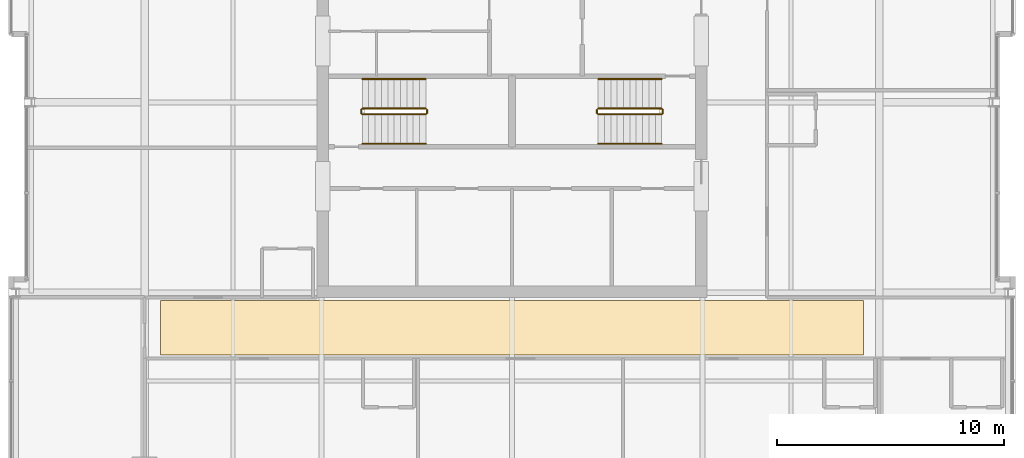
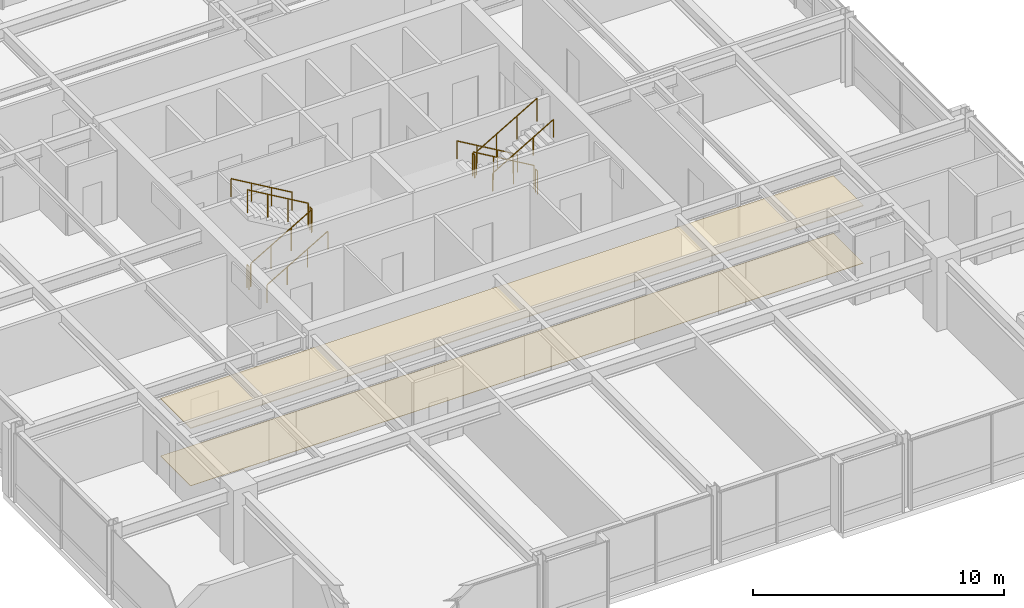
# One storey, part 29 of 30: 12 railings, 2 coverings.
"""IFC4 building model written with IfcOpenShell, lengths in metres."""

from ifc_helpers import new_model, si_unit, direction, frame, origin, origin_2d, place, context, subcontext, project, spatial, polyline, circle, outline, extrude, material, layer, layer_set, type_object, element, save


model = new_model("IFC4")

# Units and contexts
model_context = context("Model", 3, precision=1e-05, world=origin(), true_north=direction((0.0, 1.0)))
body_context = subcontext(model_context, "Body", "Model", "MODEL_VIEW")
ifc_project = project(units=[si_unit("LENGTHUNIT", "METRE"), si_unit("AREAUNIT", "SQUARE_METRE"), si_unit("VOLUMEUNIT", "CUBIC_METRE"), si_unit("PLANEANGLEUNIT", "RADIAN"), si_unit("MASSUNIT", "GRAM", prefix="KILO")], contexts=[model_context])

# Site, building, storey
site_placement = place(None, origin())
site = spatial("IfcSite", under=ifc_project, at=site_placement, CompositionType="ELEMENT")
building_placement = place(site_placement, origin())
building = spatial("IfcBuilding", under=site, at=building_placement, Name="Drelvath Grand Hotel", CompositionType="ELEMENT")
storey_placement = place(building_placement, frame((0.0, 0.0, 215.89990234375)))
storey = spatial("IfcBuildingStorey", under=building, at=storey_placement, Name="L56", CompositionType="ELEMENT", Elevation=215.89990234375)

# Railings
ifc_material_1 = material(Name="Painted Steel S275", Category="steel")
railing_type_1 = type_object("IfcRailingType", Name="Core Stair Wall Handrail 900", PredefinedType="HANDRAIL", material=ifc_material_1)
railing_1_placement = place(storey_placement, frame((-6.60009765625, 25.169921875, 0.163818359375)))
element("IfcRailing", 1, at=railing_1_placement, inside=storey, type_object=railing_type_1, Name="L56 ST-1 stair handrail 1", PredefinedType="HANDRAIL", context=body_context, shape_type="SweptSolid", body=[
    extrude(circle(Radius=0.02392578125, at=origin_2d()), frame((0.0, 0.0, 0.8759765625), z_axis=(0.863393664356, 0.0, 0.504530851732), x_axis=(0.0, 1.0, 0.0)), (0.0, 0.0, 1.0), 3.2431640625),
    extrude(circle(Radius=0.02099609375, at=origin_2d()), origin(), (0.0, 0.0, 1.0), 0.851806640625),
    extrude(circle(Radius=0.02099609375, at=origin_2d()), frame((0.933349609375, 0.0, 0.54541015625)), (0.0, 0.0, 1.0), 0.851806640625),
    extrude(circle(Radius=0.02099609375, at=origin_2d()), frame((1.86669921875, 0.0, 1.0908203125)), (0.0, 0.0, 1.0), 0.851806640625),
    extrude(circle(Radius=0.02099609375, at=origin_2d()), frame((2.800048828125, 0.0, 1.63623046875)), (0.0, 0.0, 1.0), 0.851806640625),
])
railing_2_placement = place(storey_placement, frame((-3.800048828125, 28.030029296875, 1.963623046875)))
element("IfcRailing", 2, at=railing_2_placement, inside=storey, type_object=railing_type_1, Name="L56 ST-1 stair handrail 2", PredefinedType="HANDRAIL", context=body_context, shape_type="SweptSolid", body=[
    extrude(circle(Radius=0.02392578125, at=origin_2d()), frame((0.0, 0.0, 0.8759765625), z_axis=(-0.863360870873, 0.0, 0.504586966384), x_axis=(0.0, -1.0, 0.0)), (0.0, 0.0, 1.0), 3.2431640625),
    extrude(circle(Radius=0.02099609375, at=origin_2d()), origin(), (0.0, 0.0, 1.0), 0.851806640625),
    extrude(circle(Radius=0.02099609375, at=origin_2d()), frame((-0.933349609375, 0.0, 0.54541015625)), (0.0, 0.0, 1.0), 0.851806640625),
    extrude(circle(Radius=0.02099609375, at=origin_2d()), frame((-1.86669921875, 0.0, 1.091064453125)), (0.0, 0.0, 1.0), 0.851806640625),
    extrude(circle(Radius=0.02099609375, at=origin_2d()), frame((-2.800048828125, 0.0, 1.636474609375)), (0.0, 0.0, 1.0), 0.851806640625),
])
railing_3_placement = place(storey_placement, frame((6.60009765625, 28.030029296875, 0.163818359375)))
element("IfcRailing", 3, at=railing_3_placement, inside=storey, type_object=railing_type_1, Name="L56 ST-2 stair handrail 1", PredefinedType="HANDRAIL", context=body_context, shape_type="SweptSolid", body=[
    extrude(circle(Radius=0.02392578125, at=origin_2d()), frame((0.0, 0.0, 0.8759765625), z_axis=(-0.863393664356, 0.0, 0.504530851732), x_axis=(0.0, -1.0, 0.0)), (0.0, 0.0, 1.0), 3.2431640625),
    extrude(circle(Radius=0.02099609375, at=origin_2d()), origin(), (0.0, 0.0, 1.0), 0.851806640625),
    extrude(circle(Radius=0.02099609375, at=origin_2d()), frame((-0.933349609375, 0.0, 0.54541015625)), (0.0, 0.0, 1.0), 0.851806640625),
    extrude(circle(Radius=0.02099609375, at=origin_2d()), frame((-1.86669921875, 0.0, 1.0908203125)), (0.0, 0.0, 1.0), 0.851806640625),
    extrude(circle(Radius=0.02099609375, at=origin_2d()), frame((-2.800048828125, 0.0, 1.63623046875)), (0.0, 0.0, 1.0), 0.851806640625),
])
railing_4_placement = place(storey_placement, frame((3.800048828125, 25.169921875, 1.963623046875)))
element("IfcRailing", 4, at=railing_4_placement, inside=storey, type_object=railing_type_1, Name="L56 ST-2 stair handrail 2", PredefinedType="HANDRAIL", context=body_context, shape_type="SweptSolid", body=[
    extrude(circle(Radius=0.02392578125, at=origin_2d()), frame((0.0, 0.0, 0.8759765625), z_axis=(0.863360870873, 0.0, 0.504586966384), x_axis=(0.0, 1.0, 0.0)), (0.0, 0.0, 1.0), 3.2431640625),
    extrude(circle(Radius=0.02099609375, at=origin_2d()), origin(), (0.0, 0.0, 1.0), 0.851806640625),
    extrude(circle(Radius=0.02099609375, at=origin_2d()), frame((0.933349609375, 0.0, 0.54541015625)), (0.0, 0.0, 1.0), 0.851806640625),
    extrude(circle(Radius=0.02099609375, at=origin_2d()), frame((1.86669921875, 0.0, 1.091064453125)), (0.0, 0.0, 1.0), 0.851806640625),
    extrude(circle(Radius=0.02099609375, at=origin_2d()), frame((2.800048828125, 0.0, 1.636474609375)), (0.0, 0.0, 1.0), 0.851806640625),
])
railing_type_2 = type_object("IfcRailingType", Name="Core Stair Well Guardrail 1100", PredefinedType="GUARDRAIL", material=ifc_material_1)
railing_5_placement = place(storey_placement, frame((-6.60009765625, 26.469970703125, 0.163818359375)))
element("IfcRailing", 5, at=railing_5_placement, inside=storey, type_object=railing_type_2, Name="L56 ST-1 stair guard 1", PredefinedType="GUARDRAIL", context=body_context, shape_type="SweptSolid", body=[
    extrude(circle(Radius=0.02392578125, at=origin_2d()), frame((0.0, 0.0, 1.1259765625), z_axis=(0.863393664356, 0.0, 0.504530851732), x_axis=(0.0, 1.0, 0.0)), (0.0, 0.0, 1.0), 3.2431640625),
    extrude(circle(Radius=0.02099609375, at=origin_2d()), origin(), (0.0, 0.0, 1.0), 1.101806640625),
    extrude(circle(Radius=0.02099609375, at=origin_2d()), frame((0.933349609375, 0.0, 0.54541015625)), (0.0, 0.0, 1.0), 1.101806640625),
    extrude(circle(Radius=0.02099609375, at=origin_2d()), frame((1.86669921875, 0.0, 1.0908203125)), (0.0, 0.0, 1.0), 1.101806640625),
    extrude(circle(Radius=0.02099609375, at=origin_2d()), frame((2.800048828125, 0.0, 1.63623046875)), (0.0, 0.0, 1.0), 1.101806640625),
])
railing_6_placement = place(storey_placement, frame((-3.75, 26.52001953125, 1.800048828125)))
element("IfcRailing", 6, at=railing_6_placement, inside=storey, type_object=railing_type_2, Name="L56 ST-1 stair guard 2", PredefinedType="GUARDRAIL", context=body_context, shape_type="SweptSolid", body=[
    extrude(circle(Radius=0.02392578125, at=origin_2d()), frame((0.0, 0.0, 1.1259765625), z_axis=(0.0, 1.0, 0.0), x_axis=(-1.0, 0.0, 0.0)), (0.0, 0.0, 1.0), 0.159912109375),
    extrude(circle(Radius=0.02099609375, at=origin_2d()), origin(), (0.0, 0.0, 1.0), 1.101806640625),
    extrude(circle(Radius=0.02099609375, at=origin_2d()), frame((0.0, 0.159912109375, 0.0)), (0.0, 0.0, 1.0), 1.101806640625),
])
railing_7_placement = place(storey_placement, frame((-3.800048828125, 26.72998046875, 1.963623046875)))
element("IfcRailing", 7, at=railing_7_placement, inside=storey, type_object=railing_type_2, Name="L56 ST-1 stair guard 3", PredefinedType="GUARDRAIL", context=body_context, shape_type="SweptSolid", body=[
    extrude(circle(Radius=0.02392578125, at=origin_2d()), frame((0.0, 0.0, 1.1259765625), z_axis=(-0.863360870873, 0.0, 0.504586966384), x_axis=(0.0, -1.0, 0.0)), (0.0, 0.0, 1.0), 3.2431640625),
    extrude(circle(Radius=0.02099609375, at=origin_2d()), origin(), (0.0, 0.0, 1.0), 1.101806640625),
    extrude(circle(Radius=0.02099609375, at=origin_2d()), frame((-0.933349609375, 0.0, 0.54541015625)), (0.0, 0.0, 1.0), 1.101806640625),
    extrude(circle(Radius=0.02099609375, at=origin_2d()), frame((-1.86669921875, 0.0, 1.091064453125)), (0.0, 0.0, 1.0), 1.101806640625),
    extrude(circle(Radius=0.02099609375, at=origin_2d()), frame((-2.800048828125, 0.0, 1.636474609375)), (0.0, 0.0, 1.0), 1.101806640625),
])
railing_8_placement = place(storey_placement, frame((-6.64990234375, 26.52001953125, 0.0)))
element("IfcRailing", 8, at=railing_8_placement, inside=storey, type_object=railing_type_2, Name="L56 ST-1 stair guard 4", PredefinedType="GUARDRAIL", context=body_context, shape_type="SweptSolid", body=[
    extrude(circle(Radius=0.02392578125, at=origin_2d()), frame((0.0, 0.0, 1.1259765625), z_axis=(0.0, 1.0, 0.0), x_axis=(-1.0, 0.0, 0.0)), (0.0, 0.0, 1.0), 0.159912109375),
    extrude(circle(Radius=0.02099609375, at=origin_2d()), origin(), (0.0, 0.0, 1.0), 1.101806640625),
    extrude(circle(Radius=0.02099609375, at=origin_2d()), frame((0.0, 0.159912109375, 0.0)), (0.0, 0.0, 1.0), 1.101806640625),
])
railing_9_placement = place(storey_placement, frame((6.60009765625, 26.72998046875, 0.163818359375)))
element("IfcRailing", 9, at=railing_9_placement, inside=storey, type_object=railing_type_2, Name="L56 ST-2 stair guard 1", PredefinedType="GUARDRAIL", context=body_context, shape_type="SweptSolid", body=[
    extrude(circle(Radius=0.02392578125, at=origin_2d()), frame((0.0, 0.0, 1.1259765625), z_axis=(-0.863393664356, 0.0, 0.504530851732), x_axis=(0.0, -1.0, 0.0)), (0.0, 0.0, 1.0), 3.2431640625),
    extrude(circle(Radius=0.02099609375, at=origin_2d()), origin(), (0.0, 0.0, 1.0), 1.101806640625),
    extrude(circle(Radius=0.02099609375, at=origin_2d()), frame((-0.933349609375, 0.0, 0.54541015625)), (0.0, 0.0, 1.0), 1.101806640625),
    extrude(circle(Radius=0.02099609375, at=origin_2d()), frame((-1.86669921875, 0.0, 1.0908203125)), (0.0, 0.0, 1.0), 1.101806640625),
    extrude(circle(Radius=0.02099609375, at=origin_2d()), frame((-2.800048828125, 0.0, 1.63623046875)), (0.0, 0.0, 1.0), 1.101806640625),
])
railing_10_placement = place(storey_placement, frame((3.75, 26.679931640625, 1.800048828125)))
element("IfcRailing", 10, at=railing_10_placement, inside=storey, type_object=railing_type_2, Name="L56 ST-2 stair guard 2", PredefinedType="GUARDRAIL", context=body_context, shape_type="SweptSolid", body=[
    extrude(circle(Radius=0.02392578125, at=origin_2d()), frame((0.0, 0.0, 1.1259765625), z_axis=(0.0, -1.0, 0.0), x_axis=(1.0, 0.0, 0.0)), (0.0, 0.0, 1.0), 0.159912109375),
    extrude(circle(Radius=0.02099609375, at=origin_2d()), origin(), (0.0, 0.0, 1.0), 1.101806640625),
    extrude(circle(Radius=0.02099609375, at=origin_2d()), frame((0.0, -0.159912109375, 0.0)), (0.0, 0.0, 1.0), 1.101806640625),
])
railing_11_placement = place(storey_placement, frame((3.800048828125, 26.469970703125, 1.963623046875)))
element("IfcRailing", 11, at=railing_11_placement, inside=storey, type_object=railing_type_2, Name="L56 ST-2 stair guard 3", PredefinedType="GUARDRAIL", context=body_context, shape_type="SweptSolid", body=[
    extrude(circle(Radius=0.02392578125, at=origin_2d()), frame((0.0, 0.0, 1.1259765625), z_axis=(0.863360870873, 0.0, 0.504586966384), x_axis=(0.0, 1.0, 0.0)), (0.0, 0.0, 1.0), 3.2431640625),
    extrude(circle(Radius=0.02099609375, at=origin_2d()), origin(), (0.0, 0.0, 1.0), 1.101806640625),
    extrude(circle(Radius=0.02099609375, at=origin_2d()), frame((0.933349609375, 0.0, 0.54541015625)), (0.0, 0.0, 1.0), 1.101806640625),
    extrude(circle(Radius=0.02099609375, at=origin_2d()), frame((1.86669921875, 0.0, 1.091064453125)), (0.0, 0.0, 1.0), 1.101806640625),
    extrude(circle(Radius=0.02099609375, at=origin_2d()), frame((2.800048828125, 0.0, 1.636474609375)), (0.0, 0.0, 1.0), 1.101806640625),
])
railing_12_placement = place(storey_placement, frame((6.64990234375, 26.679931640625, 0.0)))
element("IfcRailing", 12, at=railing_12_placement, inside=storey, type_object=railing_type_2, Name="L56 ST-2 stair guard 4", PredefinedType="GUARDRAIL", context=body_context, shape_type="SweptSolid", body=[
    extrude(circle(Radius=0.02392578125, at=origin_2d()), frame((0.0, 0.0, 1.1259765625), z_axis=(0.0, -1.0, 0.0), x_axis=(1.0, 0.0, 0.0)), (0.0, 0.0, 1.0), 0.159912109375),
    extrude(circle(Radius=0.02099609375, at=origin_2d()), origin(), (0.0, 0.0, 1.0), 1.101806640625),
    extrude(circle(Radius=0.02099609375, at=origin_2d()), frame((0.0, -0.159912109375, 0.0)), (0.0, 0.0, 1.0), 1.101806640625),
])

# Coverings
ifc_material_2 = material(Name="Woven Wool Broadloom Carpet")
ifc_layer_1 = layer(ifc_material_2, 0.01806640625)
ifc_layer_set_1 = layer_set([ifc_layer_1], Name="Woven Wool Broadloom Carpet")
covering_type_1 = type_object("IfcCoveringType", Name="Hospitality Broadloom Carpet 18", PredefinedType="FLOORING", material=ifc_layer_set_1)
covering_1_placement = place(storey_placement, origin())
element("IfcCovering", 13, at=covering_1_placement, inside=storey, type_object=covering_type_1, Name="L56 Upper Gallery Carpet", PredefinedType="FLOORING", context=body_context, shape_type="SweptSolid", body=[
    extrude(outline(polyline([(15.5, 15.85009765625), (15.5, 18.25), (-15.5, 18.25), (-15.5, 15.85009765625), (15.5, 15.85009765625)])), origin(), (0.0, 0.0, 1.0), 0.01806640625),
])
ifc_material_3 = material(Name="Anodised Aluminium Alloy", Category="aluminium")
ifc_layer_2 = layer(ifc_material_3, 0.0400390625)
ifc_layer_set_2 = layer_set([ifc_layer_2], Name="Anodised Aluminium Alloy")
covering_type_2 = type_object("IfcCoveringType", Name="Perforated Metal Corridor Ceiling 40", PredefinedType="CEILING", material=ifc_layer_set_2)
covering_2_placement = place(storey_placement, frame((0.0, 0.0, 2.7900390625)))
element("IfcCovering", 14, at=covering_2_placement, inside=storey, type_object=covering_type_2, Name="L56 Upper Gallery Ceiling", PredefinedType="CEILING", context=body_context, shape_type="SweptSolid", body=[
    extrude(outline(polyline([(15.5, 15.85009765625), (15.5, 18.25), (-15.5, 18.25), (-15.5, 15.85009765625), (15.5, 15.85009765625)])), origin(), (0.0, 0.0, 1.0), 0.0400390625),
])

save(model, "model.ifc")
